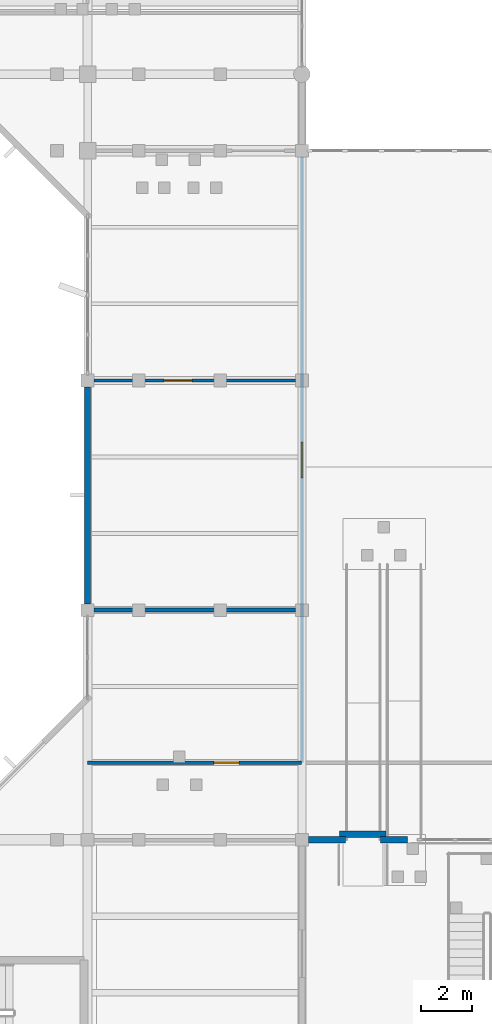
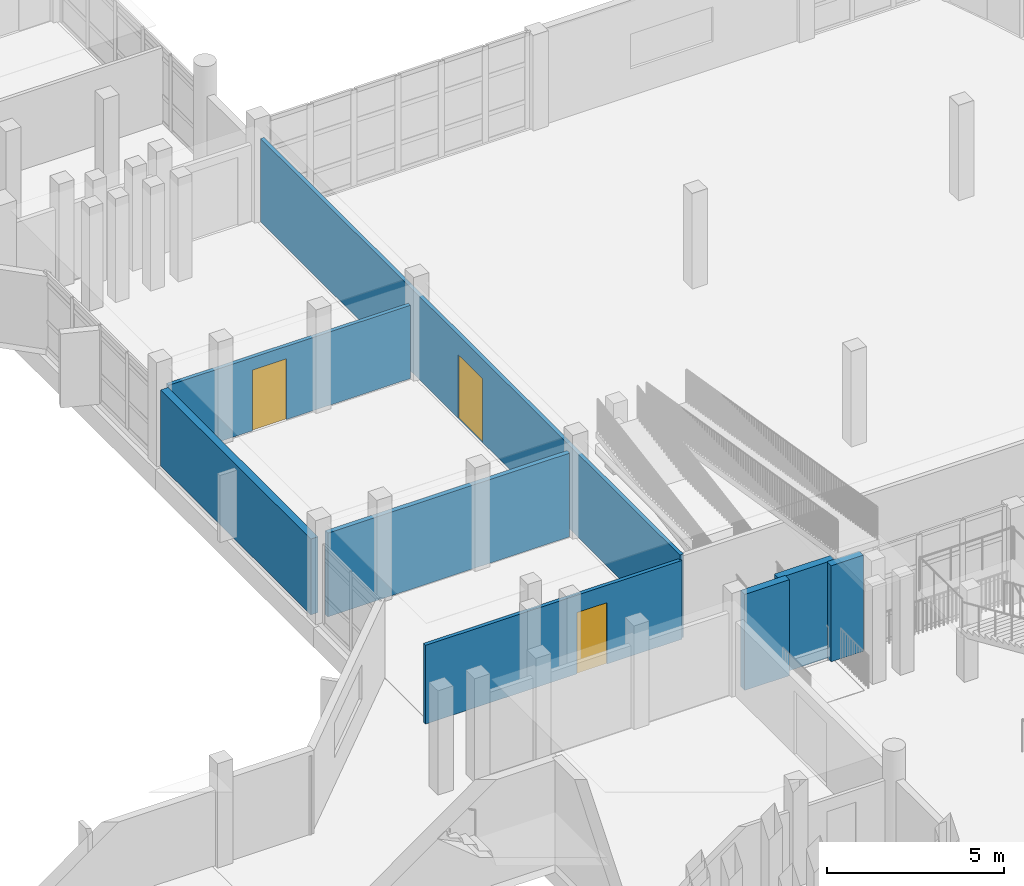
# One storey, part 68 of 104: 8 walls, 3 doors, 3 openings.
"""IFC4 building model written with IfcOpenShell, lengths in metres."""

from ifc_helpers import new_model, si_unit, direction, frame, frame_2d, origin, place, context, subcontext, project, spatial, rectangle, extrude, material, layer, layer_set, type_object, element, fill, save


model = new_model("IFC4")

# Units and contexts
model_context = context("Model", 3, precision=1e-05, world=origin(), true_north=direction((0.0, 1.0)))
body_context = subcontext(model_context, "Body", "Model", "MODEL_VIEW")
ifc_project = project(units=[si_unit("LENGTHUNIT", "METRE"), si_unit("AREAUNIT", "SQUARE_METRE"), si_unit("VOLUMEUNIT", "CUBIC_METRE"), si_unit("PLANEANGLEUNIT", "RADIAN"), si_unit("MASSUNIT", "GRAM", prefix="KILO")], contexts=[model_context])

# Site, building, storey
site_placement = place(None, origin())
site = spatial("IfcSite", under=ifc_project, at=site_placement, CompositionType="ELEMENT")
building_placement = place(site_placement, origin())
building = spatial("IfcBuilding", under=site, at=building_placement, Name="Vanh Quang Courtyard School", CompositionType="ELEMENT")
storey_placement = place(building_placement, frame((0.0, 0.0, 4.199951171875)))
storey = spatial("IfcBuildingStorey", under=building, at=storey_placement, Name="L01", CompositionType="ELEMENT", Elevation=4.199951171875)

# Walls
ifc_material_1 = material(Name="Precast concrete C40/50", Category="concrete")
ifc_layer_1 = layer(ifc_material_1, 0.239990234375)
ifc_layer_set_1 = layer_set([ifc_layer_1], Name="Precast concrete C40/50")
wall_type_1 = type_object("IfcWallType", Name="W-EXT-240", PredefinedType="SOLIDWALL", material=ifc_layer_set_1)
wall_1_placement = place(storey_placement, frame((123.527099609375, 41.39990234375, 0.0), z_axis=(0.0, 0.0, 1.0), x_axis=(-1.0, 0.0, 0.0)))
element("IfcWall", 1, at=wall_1_placement, inside=storey, type_object=wall_type_1, Name="Wall WE-03 (L01)", PredefinedType="SOLIDWALL", context=body_context, shape_type="SweptSolid", body=[
    extrude(rectangle(XDim=1.052001953125, YDim=0.239990234375, at=frame_2d((0.52587890625, 0.0))), origin(), (0.0, 0.0, 1.0), 3.320068359375),
])
wall_2_placement = place(storey_placement, frame((122.699951171875, 41.614990234375, 0.0), z_axis=(0.0, 0.0, 1.0), x_axis=(-1.0, 0.0, 0.0)))
element("IfcWall", 2, at=wall_2_placement, inside=storey, type_object=wall_type_1, Name="Wall WE-03 (L01)", PredefinedType="SOLIDWALL", context=body_context, shape_type="SweptSolid", body=[
    extrude(rectangle(XDim=1.820068359375, YDim=0.239990234375, at=frame_2d((0.91015625, 0.0))), origin(), (0.0, 0.0, 1.0), 3.320068359375),
])
wall_3_placement = place(storey_placement, frame((121.10498046875, 41.39990234375, 0.0), z_axis=(0.0, 0.0, 1.0), x_axis=(-1.0, 0.0, 0.0)))
element("IfcWall", 3, at=wall_3_placement, inside=storey, type_object=wall_type_1, Name="Wall WE-03 (L01)", PredefinedType="SOLIDWALL", context=body_context, shape_type="SweptSolid", body=[
    extrude(rectangle(XDim=1.45703125, YDim=0.239990234375, at=frame_2d((0.728515625, 0.0))), origin(), (0.0, 0.0, 1.0), 3.320068359375),
])
wall_4_placement = place(storey_placement, frame((111.0, 50.64794921875, 0.0), z_axis=(0.0, 0.0, 1.0), x_axis=(0.0, 1.0, 0.0)))
element("IfcWall", 4, at=wall_4_placement, inside=storey, type_object=wall_type_1, Name="Wall WE-03 (L01)", PredefinedType="SOLIDWALL", context=body_context, shape_type="SweptSolid", body=[
    extrude(rectangle(XDim=8.504150390625, YDim=0.239990234375, at=frame_2d((4.251953125, 0.0))), origin(), (0.0, 0.0, 1.0), 2.6201171875),
])

# Wall, opening, door
ifc_material_2 = material(Name="Acoustic gypsum stud partition", Category="gypsum")
ifc_layer_2 = layer(ifc_material_2, 0.1201171875)
ifc_layer_set_2 = layer_set([ifc_layer_2], Name="Acoustic gypsum stud partition")
wall_type_2 = type_object("IfcWallType", Name="W-PART-120", PredefinedType="PARTITIONING", material=ifc_layer_set_2)
wall_5_placement = place(storey_placement, frame((119.39990234375, 44.419921875, 0.0), z_axis=(0.0, 0.0, 1.0), x_axis=(0.0, 1.0, 0.0)))
wall_5 = element("IfcWall", 5, at=wall_5_placement, inside=storey, type_object=wall_type_2, Name="Wall W-PRT2 (L01)", PredefinedType="PARTITIONING", context=body_context, shape_type="SweptSolid", body=[
    extrude(rectangle(XDim=23.732177734375, YDim=0.1201171875, at=frame_2d((11.8662109375, 0.0))), origin(), (0.0, 0.0, 1.0), 2.880126953125),
])
opening_1_placement = place(wall_5_placement, frame((11.166015625, 0.0, 0.0)))
opening_1 = element("IfcOpeningElement", 6, at=opening_1_placement, cuts=wall_5, Name="Opening L01-D054", PredefinedType="OPENING", context=body_context, shape_type="SweptSolid", body=[
    extrude(rectangle(XDim=1.39990234375, YDim=2.199951171875, at=frame_2d((0.699951171875, 1.10009765625))), frame((0.0, 0.070068359375, 0.0), z_axis=(0.0, -1.0, 0.0), x_axis=(1.0, 0.0, 0.0)), (0.0, 0.0, 1.0), 0.14013671875),
])
ifc_material_3 = material(Name="Solid-core hardwood acoustic door", Category="wood")
door_type_1 = type_object("IfcDoorType", Name="IDR-STU-1400x2200", OperationType="NOTDEFINED", PredefinedType="DOOR", material=ifc_material_3)
door_1_placement = place(opening_1_placement, origin())
door_1 = element("IfcDoor", 7, at=door_1_placement, inside=storey, type_object=door_type_1, Name="Door L01-D054 (L01)", OperationType="SINGLE_SWING_LEFT", OverallHeight=2.199951171875, OverallWidth=1.39990234375, PredefinedType="DOOR", context=body_context, shape_type="SweptSolid", body=[
    extrude(rectangle(XDim=1.39990234375, YDim=2.199951171875, at=frame_2d((0.699951171875, 1.10009765625))), frame((0.0, 0.02490234375, 0.0), z_axis=(0.0, -1.0, 0.0), x_axis=(1.0, 0.0, 0.0)), (0.0, 0.0, 1.0), 0.050048828125),
])
fill(opening_1, door_1)

wall_6_placement = place(storey_placement, frame((119.3798828125, 44.419921875, 0.0), z_axis=(0.0, 0.0, 1.0), x_axis=(-1.0, 0.0, 0.0)))
wall_6 = element("IfcWall", 8, at=wall_6_placement, inside=storey, type_object=wall_type_2, Name="Wall W-PRT2 (L01)", PredefinedType="PARTITIONING", context=body_context, shape_type="SweptSolid", body=[
    extrude(rectangle(XDim=8.3798828125, YDim=0.1201171875, at=frame_2d((4.18994140625, 0.0))), origin(), (0.0, 0.0, 1.0), 2.719970703125),
])
opening_2_placement = place(wall_6_placement, frame((2.449951171875, 0.0, 0.0)))
opening_2 = element("IfcOpeningElement", 9, at=opening_2_placement, cuts=wall_6, Name="Opening L01-D087", PredefinedType="OPENING", context=body_context, shape_type="SweptSolid", body=[
    extrude(rectangle(XDim=0.97998046875, YDim=2.1201171875, at=frame_2d((0.489990234375, 1.06005859375))), frame((0.0, 0.070068359375, 0.0), z_axis=(0.0, -1.0, 0.0), x_axis=(1.0, 0.0, 0.0)), (0.0, 0.0, 1.0), 0.14013671875),
])
door_type_2 = type_object("IfcDoorType", Name="IDR-CLS-1050x2100", OperationType="NOTDEFINED", PredefinedType="DOOR", material=ifc_material_3)
door_2_placement = place(opening_2_placement, origin())
door_2 = element("IfcDoor", 10, at=door_2_placement, inside=storey, type_object=door_type_2, Name="Door L01-D087 (L01)", OperationType="SINGLE_SWING_RIGHT", OverallHeight=2.1201171875, OverallWidth=0.97998046875, PredefinedType="DOOR", context=body_context, shape_type="SweptSolid", body=[
    extrude(rectangle(XDim=0.97998046875, YDim=2.1201171875, at=frame_2d((0.489990234375, 1.06005859375))), frame((0.0, 0.02490234375, 0.0), z_axis=(0.0, -1.0, 0.0), x_axis=(1.0, 0.0, 0.0)), (0.0, 0.0, 1.0), 0.050048828125),
])
fill(opening_2, door_2)

wall_7_placement = place(storey_placement, frame((111.248046875, 59.39990234375, 0.0), z_axis=(0.0, 0.0, 1.0), x_axis=(1.0, 0.0, 0.0)))
wall_7 = element("IfcWall", 11, at=wall_7_placement, inside=storey, type_object=wall_type_2, Name="Wall W-PRT2 (L01)", PredefinedType="PARTITIONING", context=body_context, shape_type="SweptSolid", body=[
    extrude(rectangle(XDim=7.904052734375, YDim=0.1201171875, at=frame_2d((3.9521484375, 0.0))), origin(), (0.0, 0.0, 1.0), 2.530029296875),
])
opening_3_placement = place(wall_7_placement, frame((2.751953125, 0.0, 0.0)))
opening_3 = element("IfcOpeningElement", 12, at=opening_3_placement, cuts=wall_7, Name="Opening L01-D088", PredefinedType="OPENING", context=body_context, shape_type="SweptSolid", body=[
    extrude(rectangle(XDim=1.10009765625, YDim=2.10009765625, at=frame_2d((0.550048828125, 1.050048828125))), frame((0.0, 0.070068359375, 0.0), z_axis=(0.0, -1.0, 0.0), x_axis=(1.0, 0.0, 0.0)), (0.0, 0.0, 1.0), 0.14013671875),
])
door_type_3 = type_object("IfcDoorType", Name="IDR-CLS-1100x2100", OperationType="NOTDEFINED", PredefinedType="DOOR", material=ifc_material_3)
door_3_placement = place(opening_3_placement, origin())
door_3 = element("IfcDoor", 13, at=door_3_placement, inside=storey, type_object=door_type_3, Name="Door L01-D088 (L01)", OperationType="SINGLE_SWING_LEFT", OverallHeight=2.10009765625, OverallWidth=1.10009765625, PredefinedType="DOOR", context=body_context, shape_type="SweptSolid", body=[
    extrude(rectangle(XDim=1.10009765625, YDim=2.10009765625, at=frame_2d((0.550048828125, 1.050048828125))), frame((0.0, 0.02490234375, 0.0), z_axis=(0.0, -1.0, 0.0), x_axis=(1.0, 0.0, 0.0)), (0.0, 0.0, 1.0), 0.050048828125),
])
fill(opening_3, door_3)

# Wall
ifc_material_4 = material(Name="Autoclaved aerated masonry blockwork", Category="masonry")
ifc_layer_3 = layer(ifc_material_4, 0.14990234375)
ifc_layer_set_3 = layer_set([ifc_layer_3], Name="Autoclaved aerated masonry blockwork")
wall_type_3 = type_object("IfcWallType", Name="W-PART-150", PredefinedType="PARTITIONING", material=ifc_layer_set_3)
wall_8_placement = place(storey_placement, frame((111.248046875, 50.39990234375, 0.0), z_axis=(0.0, 0.0, 1.0), x_axis=(1.0, 0.0, 0.0)))
element("IfcWall", 14, at=wall_8_placement, inside=storey, type_object=wall_type_3, Name="Wall W-PRT1 (L01)", PredefinedType="PARTITIONING", context=body_context, shape_type="SweptSolid", body=[
    extrude(rectangle(XDim=7.904052734375, YDim=0.14990234375, at=frame_2d((3.9521484375, 0.0))), origin(), (0.0, 0.0, 1.0), 2.89013671875),
])

save(model, "model.ifc")
